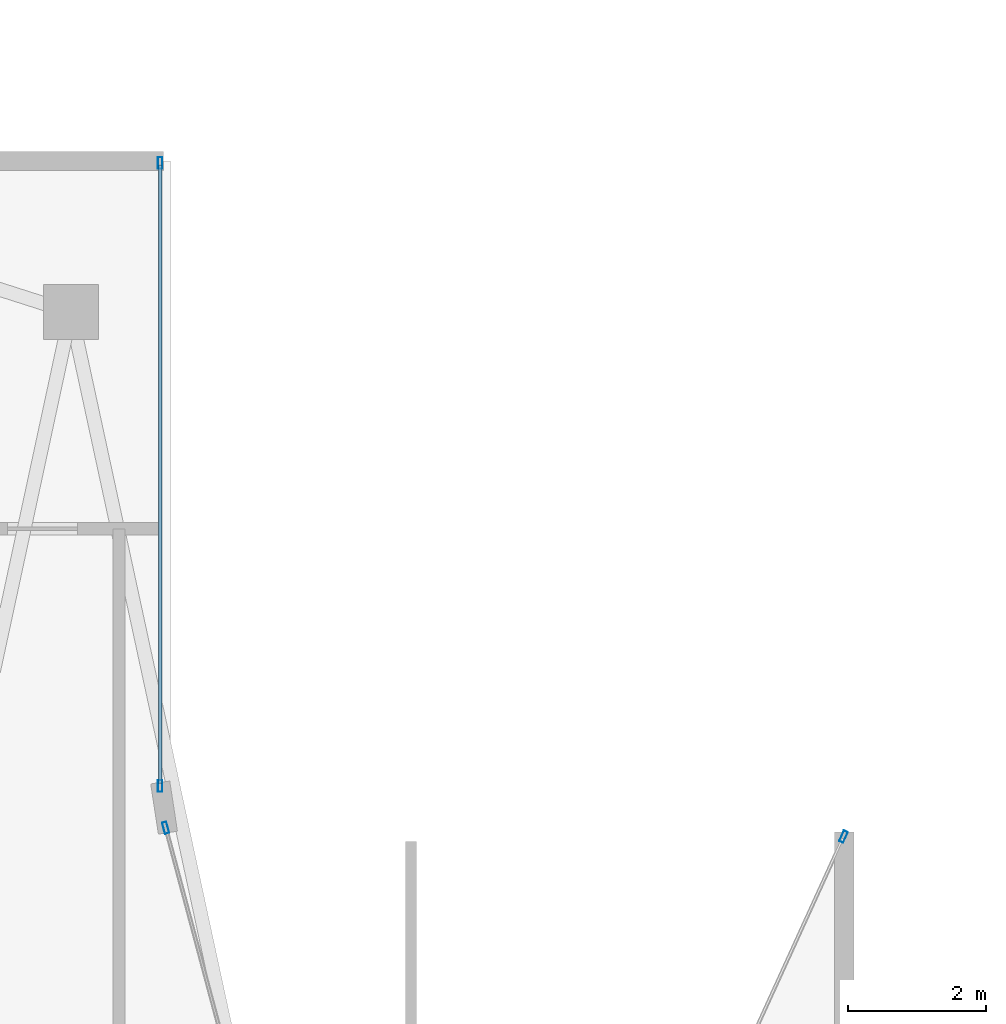
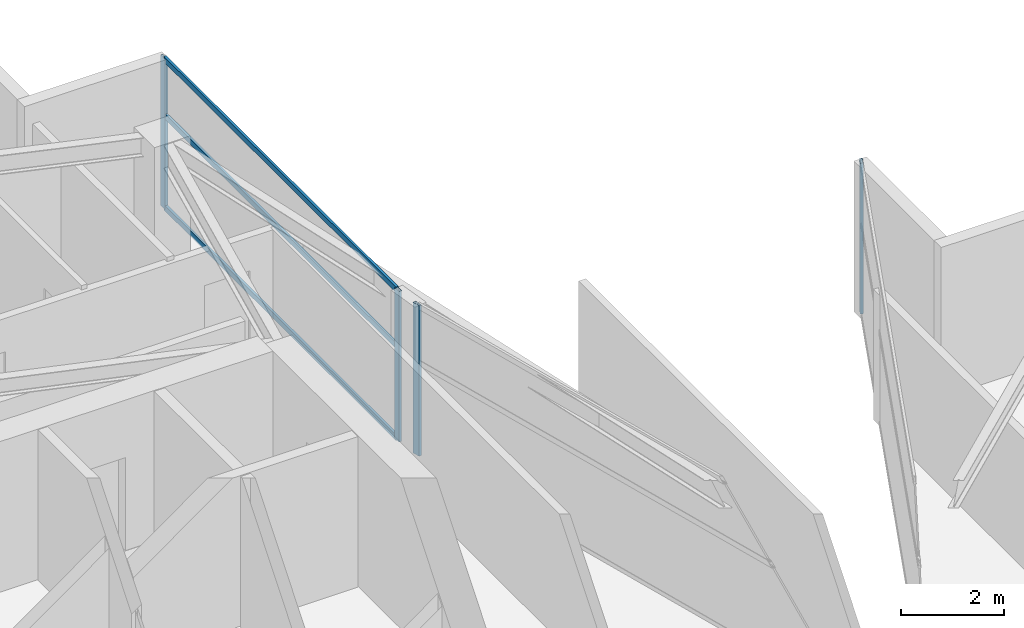
# One storey, part 19 of 27: 7 members, 3 elements without a shape of their own.
"""IFC4 building model written with IfcOpenShell, lengths in metres."""

from ifc_helpers import new_model, si_unit, direction, frame, origin, origin_2d, place, context, subcontext, project, spatial, hollow_rectangle, extrude, material, layer, layer_set, material_profile, profile_set, type_object, element, aggregate, save


model = new_model("IFC4")

# Units and contexts
model_context = context("Model", 3, precision=1e-05, world=origin(), true_north=direction((0.0, 1.0)))
body_context = subcontext(model_context, "Body", "Model", "MODEL_VIEW")
ifc_project = project(units=[si_unit("LENGTHUNIT", "METRE"), si_unit("AREAUNIT", "SQUARE_METRE"), si_unit("VOLUMEUNIT", "CUBIC_METRE"), si_unit("PLANEANGLEUNIT", "RADIAN"), si_unit("MASSUNIT", "GRAM", prefix="KILO")], contexts=[model_context])

# Site, building, storey
site_placement = place(None, origin())
site = spatial("IfcSite", under=ifc_project, at=site_placement, CompositionType="ELEMENT")
building_placement = place(site_placement, origin())
building = spatial("IfcBuilding", under=site, at=building_placement, Name="Calvorn Quay Hotel", CompositionType="ELEMENT")
storey_placement = place(building_placement, frame((0.0, 0.0, 298.699951171875)))
storey = spatial("IfcBuildingStorey", under=building, at=storey_placement, Name="L74", CompositionType="ELEMENT", Elevation=298.699951171875)

# Curtain wall, member
ifc_material_1 = material(Name="Champagne Bronze Anodised Aluminium and Low-E Glass", Category="aluminium")
ifc_layer = layer(ifc_material_1, 0.219970703125)
ifc_layer_set = layer_set([ifc_layer], Name="CW-SYS-Z4")
curtain_wall_type = type_object("IfcCurtainWallType", Name="CW-SYS-Z4", PredefinedType="NOTDEFINED", material=ifc_layer_set)
curtain_wall_1_placement = place(storey_placement, origin())
curtain_wall_1 = element("IfcCurtainWall", 1, at=curtain_wall_1_placement, inside=storey, type_object=curtain_wall_type, Name="Inner Court Curtain Wall L74-NE1", PredefinedType="NOTDEFINED")
ifc_material_2 = material(Name="Champagne Bronze Anodised Aluminium 6063-T6", Category="aluminium")
ifc_material_profile_1 = material_profile(ifc_material_2, hollow_rectangle(XDim=0.06494140625, YDim=0.169921875, WallThickness=0.00341796875, at=origin_2d()), Name="ALU-M170x65x3.5")
ifc_profile_set_1 = profile_set([ifc_material_profile_1], Name="Champagne Bronze Anodised Aluminium 6063-T6")
member_type_1 = type_object("IfcMemberType", Name="CW-SYS-Z4-MUL", PredefinedType="MULLION", material=ifc_profile_set_1)
member_1_placement = place(storey_placement, frame((27.78759765625, 37.97265625, 0.0), z_axis=(0.0, 0.0, 1.0), x_axis=(0.909907665981, -0.414810847724, 0.0)))
member_1 = element("IfcMember", 2, at=member_1_placement, type_object=member_type_1, Name="CW-L74-NE1 mullion 1", PredefinedType="MULLION", context=body_context, shape_type="SweptSolid", body=[
    extrude(hollow_rectangle(XDim=0.06494140625, YDim=0.169921875, WallThickness=0.00341796875, at=origin_2d()), origin(), (0.0, 0.0, 1.0), 3.56005859375),
])
aggregate(curtain_wall_1, [member_1])

curtain_wall_2_placement = place(storey_placement, origin())
curtain_wall_2 = element("IfcCurtainWall", 3, at=curtain_wall_2_placement, inside=storey, type_object=curtain_wall_type, Name="Inner Court Curtain Wall L74-IC1", PredefinedType="NOTDEFINED")
member_2_placement = place(storey_placement, frame((17.9296875, 38.10107421875, 0.0), z_axis=(0.0, 0.0, 1.0), x_axis=(-0.96593652056, -0.25877913024, 0.0)))
member_2 = element("IfcMember", 4, at=member_2_placement, type_object=member_type_1, Name="CW-L74-IC1 mullion 2", PredefinedType="MULLION", context=body_context, shape_type="SweptSolid", body=[
    extrude(hollow_rectangle(XDim=0.06494140625, YDim=0.169921875, WallThickness=0.00341796875, at=origin_2d()), origin(), (0.0, 0.0, 1.0), 3.56005859375),
])
aggregate(curtain_wall_2, [member_2])

# Curtain wall, members
curtain_wall_3_placement = place(storey_placement, origin())
curtain_wall_3 = element("IfcCurtainWall", 5, at=curtain_wall_3_placement, inside=storey, type_object=curtain_wall_type, Name="Inner Court Curtain Wall L74-IC2", PredefinedType="NOTDEFINED")
member_3_placement = place(storey_placement, frame((17.85009765625, 38.7099609375, 0.0), z_axis=(0.0, 0.0, 1.0), x_axis=(-1.0, 0.0, 0.0)))
member_3 = element("IfcMember", 6, at=member_3_placement, type_object=member_type_1, Name="CW-L74-IC2 mullion 1", PredefinedType="MULLION", context=body_context, shape_type="SweptSolid", body=[
    extrude(hollow_rectangle(XDim=0.06494140625, YDim=0.169921875, WallThickness=0.00341796875, at=origin_2d()), origin(), (0.0, 0.0, 1.0), 3.56005859375),
])
member_4_placement = place(storey_placement, frame((17.85009765625, 47.77001953125, 0.0), z_axis=(0.0, 0.0, 1.0), x_axis=(-1.0, 0.0, 0.0)))
member_4 = element("IfcMember", 7, at=member_4_placement, type_object=member_type_1, Name="CW-L74-IC2 mullion 2", PredefinedType="MULLION", context=body_context, shape_type="SweptSolid", body=[
    extrude(hollow_rectangle(XDim=0.06494140625, YDim=0.169921875, WallThickness=0.00341796875, at=origin_2d()), origin(), (0.0, 0.0, 1.0), 3.56005859375),
])
ifc_material_3 = material(Name="Champagne Bronze Anodised Aluminium 6063-T6", Category="aluminium")
ifc_material_profile_2 = material_profile(ifc_material_3, hollow_rectangle(XDim=0.054931640625, YDim=0.1298828125, WallThickness=0.003173828125, at=origin_2d()), Name="ALU-T130x55x3.2")
ifc_profile_set_2 = profile_set([ifc_material_profile_2], Name="Champagne Bronze Anodised Aluminium 6063-T6")
member_type_2 = type_object("IfcMemberType", Name="CW-SYS-Z4-TRN", PredefinedType="USERDEFINED", material=ifc_profile_set_2)
member_5_placement = place(storey_placement, frame((17.85009765625, 38.739990234375, 0.030029296875), z_axis=(0.0, 1.0, 0.0), x_axis=(-1.0, 0.0, 0.0)))
member_5 = element("IfcMember", 8, at=member_5_placement, type_object=member_type_2, Name="CW-L74-IC2 transom 1.1", ObjectType="TRANSOM", PredefinedType="USERDEFINED", context=body_context, shape_type="SweptSolid", body=[
    extrude(hollow_rectangle(XDim=0.054931640625, YDim=0.1298828125, WallThickness=0.003173828125, at=origin_2d()), origin(), (0.0, 0.0, 1.0), 9.0),
])
member_6_placement = place(storey_placement, frame((17.85009765625, 38.739990234375, 2.199951171875), z_axis=(0.0, 1.0, 0.0), x_axis=(-1.0, 0.0, 0.0)))
member_6 = element("IfcMember", 9, at=member_6_placement, type_object=member_type_2, Name="CW-L74-IC2 transom 1.2", ObjectType="TRANSOM", PredefinedType="USERDEFINED", context=body_context, shape_type="SweptSolid", body=[
    extrude(hollow_rectangle(XDim=0.054931640625, YDim=0.1298828125, WallThickness=0.003173828125, at=origin_2d()), origin(), (0.0, 0.0, 1.0), 9.0),
])
member_7_placement = place(storey_placement, frame((17.85009765625, 38.739990234375, 3.530029296875), z_axis=(0.0, 1.0, 0.0), x_axis=(-1.0, 0.0, 0.0)))
member_7 = element("IfcMember", 10, at=member_7_placement, type_object=member_type_2, Name="CW-L74-IC2 transom 1.3", ObjectType="TRANSOM", PredefinedType="USERDEFINED", context=body_context, shape_type="SweptSolid", body=[
    extrude(hollow_rectangle(XDim=0.054931640625, YDim=0.1298828125, WallThickness=0.003173828125, at=origin_2d()), origin(), (0.0, 0.0, 1.0), 9.0),
])
aggregate(curtain_wall_3, [member_3, member_4, member_5, member_6, member_7])

save(model, "model.ifc")
